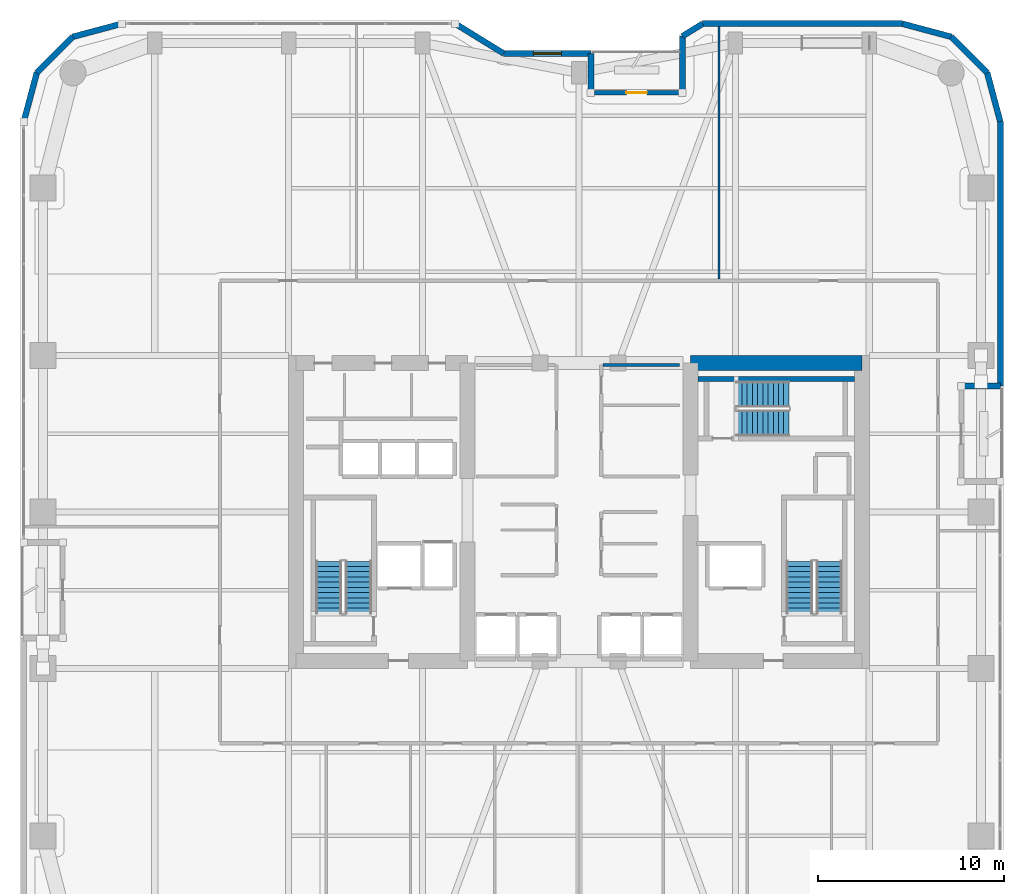
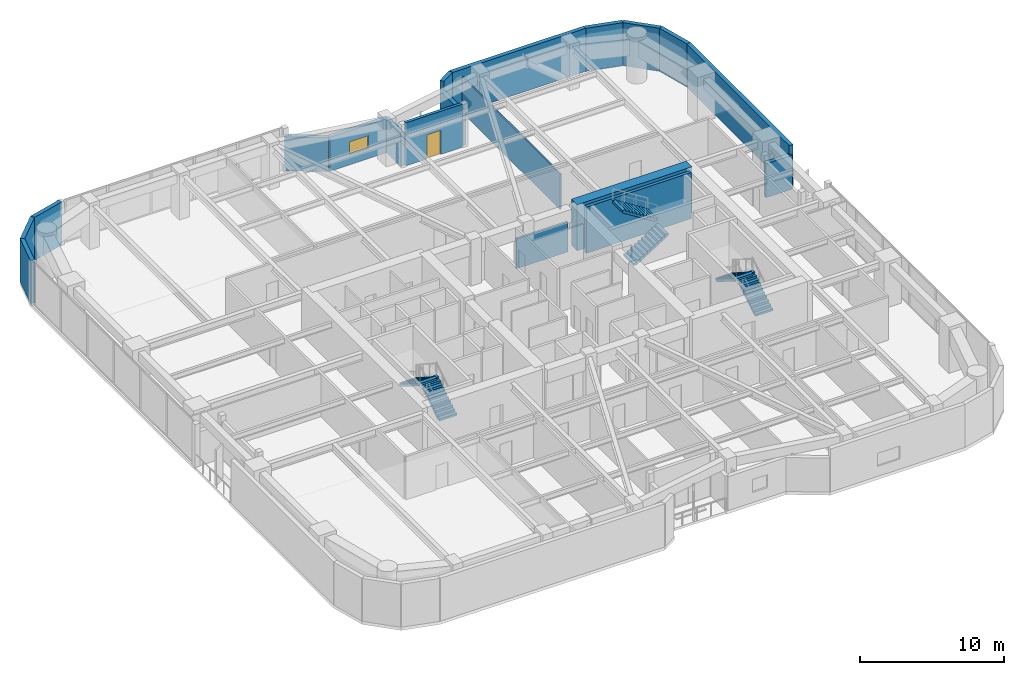
# One storey, part 21 of 24: 19 walls, 6 stair flights, 1 door, 1 window, 2 openings, 3 elements without a shape of their own.
"""IFC4 building model written with IfcOpenShell, lengths in metres."""

import ifcopenshell
import ifcopenshell.guid

model = None  # the IFC model being written
_history = None  # IfcOwnerHistory: only IFC2X3 demands one
_inside = {}  # id of a spatial element -> (the spatial element, [elements in it])
_under = {}  # id of a project, library or spatial element -> (it, [spatial elements below it])
_declared = {}  # id of a project -> (the project, [libraries it declares])
_typed = {}  # id of a type object -> (the type object, [elements of that type])
_made_of = {}  # id of a material, layer set ... -> (it, [elements and type objects made of it])


def new_model(schema):
    """Start an empty IFC model of exactly this schema.

    Asked for "IFC4X3", IfcOpenShell would pick the latest addendum, in which some entities
    have other attributes; the version numbers below select the first issue.
    IFC2X3 requires an IfcOwnerHistory on every rooted entity: one is made here for all.
    """
    global model, _history
    if schema == "IFC4X3":
        model = ifcopenshell.file(schema_version=(4, 3, 0, 0))
    else:
        model = ifcopenshell.file(schema=schema)
    _inside.clear()
    _under.clear()
    _declared.clear()
    _typed.clear()
    _made_of.clear()
    _history = None
    if model.schema == "IFC2X3":
        org = make("IfcOrganization", Name="unknown")
        user = make(
            "IfcPersonAndOrganization",
            ThePerson=make("IfcPerson", FamilyName="unknown"),
            TheOrganization=org,
        )
        app = make(
            "IfcApplication",
            ApplicationDeveloper=org,
            Version="unknown",
            ApplicationFullName="unknown",
            ApplicationIdentifier="unknown",
        )
        _history = make(
            "IfcOwnerHistory",
            OwningUser=user,
            OwningApplication=app,
            ChangeAction="ADDED",
            CreationDate=0,
        )
    return model


def make(cls, **values):
    """One entity of the class cls with the attributes given. An attribute that is None is left unset."""
    return model.create_entity(
        cls, **{name: value for name, value in values.items() if value is not None}
    )


def rooted(cls, **values):
    """An entity with a GlobalId (a new one), such as an element, a storey or a relation."""
    return make(cls, GlobalId=ifcopenshell.guid.new(), OwnerHistory=_history, **values)


def si_unit(unit_type, name, prefix=None):
    """IfcSIUnit, for example si_unit("LENGTHUNIT", "METRE", prefix="MILLI")."""
    return make("IfcSIUnit", UnitType=unit_type, Prefix=prefix, Name=name)


def assignment(units):
    """IfcUnitAssignment: the units of a project."""
    return None if units is None else make("IfcUnitAssignment", Units=units)


def point(xyz):
    """IfcCartesianPoint."""
    return None if xyz is None else make("IfcCartesianPoint", Coordinates=xyz)


def direction(xyz):
    """IfcDirection."""
    return None if xyz is None else make("IfcDirection", DirectionRatios=xyz)


def frame(location, z_axis=None, x_axis=None):
    """IfcAxis2Placement3D, a coordinate frame: its origin and axes. An axis left out is left unset."""
    return make(
        "IfcAxis2Placement3D",
        Location=point(location),
        Axis=direction(z_axis),
        RefDirection=direction(x_axis),
    )


def frame_2d(location, x_axis=None):
    """IfcAxis2Placement2D, a coordinate frame in the plane: its origin and x axis."""
    return make(
        "IfcAxis2Placement2D", Location=point(location), RefDirection=direction(x_axis)
    )


def origin():
    """The frame at (0, 0, 0) with its axes left unset."""
    return frame((0.0, 0.0, 0.0))


def place(relative_to, where):
    """IfcLocalPlacement: puts the frame where relative to a parent placement (None: the world)."""
    return make(
        "IfcLocalPlacement", PlacementRelTo=relative_to, RelativePlacement=where
    )


def context(
    kind, dimensions, precision=None, world=None, true_north=None, identifier=None
):
    """IfcGeometricRepresentationContext, for example the 3D "Model" context."""
    return make(
        "IfcGeometricRepresentationContext",
        ContextIdentifier=identifier,
        ContextType=kind,
        CoordinateSpaceDimension=dimensions,
        Precision=precision,
        WorldCoordinateSystem=world,
        TrueNorth=true_north,
    )


def subcontext(parent, identifier, kind, view, scale=None):
    """IfcGeometricRepresentationSubContext, for example "Body" below "Model"."""
    return make(
        "IfcGeometricRepresentationSubContext",
        ContextIdentifier=identifier,
        ContextType=kind,
        ParentContext=parent,
        TargetScale=scale,
        TargetView=view,
    )


def project(units=None, contexts=None):
    """IfcProject with its units and contexts."""
    return rooted(
        "IfcProject",
        Name="project",
        RepresentationContexts=contexts,
        UnitsInContext=assignment(units),
    )


def spatial(cls, under=None, at=None, **own):
    """A site, building, storey or space (cls), placed at a placement, below another one or the project."""
    s = rooted(cls, ObjectPlacement=at, **own)
    if under is not None:
        _under.setdefault(under.id(), (under, []))[1].append(s)
    return s


def polyline(points):
    """IfcPolyline through the points."""
    return make("IfcPolyline", Points=[point(p) for p in points])


def profile(cls, at=None, kind="AREA", **sizes):
    """A parametric profile (cls). Its sizes go by their IFC names, for example OverallWidth=200.0."""
    return make(cls, ProfileType=kind, Position=at, **sizes)


def rectangle(**sizes):
    """IfcRectangleProfileDef."""
    return profile("IfcRectangleProfileDef", **sizes)


def outline(outer, holes=None, kind="AREA"):
    """IfcArbitraryClosedProfileDef: a profile drawn as a closed curve; with holes, ...WithVoids."""
    if holes is None:
        return make("IfcArbitraryClosedProfileDef", ProfileType=kind, OuterCurve=outer)
    return make(
        "IfcArbitraryProfileDefWithVoids",
        ProfileType=kind,
        OuterCurve=outer,
        InnerCurves=holes,
    )


def extrude(swept, where, along, depth):
    """IfcExtrudedAreaSolid: the profile swept, set in the frame where, extruded along a direction by depth."""
    return make(
        "IfcExtrudedAreaSolid",
        SweptArea=swept,
        Position=where,
        ExtrudedDirection=direction(along),
        Depth=depth,
    )


def shape(context_of_items, identifier, shape_type, items):
    """IfcShapeRepresentation: the items that make up one representation, for example the "Body"."""
    return make(
        "IfcShapeRepresentation",
        ContextOfItems=context_of_items,
        RepresentationIdentifier=identifier,
        RepresentationType=shape_type,
        Items=items,
    )


def material(Name=None, Category=None):
    """IfcMaterial."""
    return make("IfcMaterial", Name=Name, Category=Category)


def layer(
    of_material, thickness, ventilated=None, Name=None, Category=None, Priority=None
):
    """IfcMaterialLayer: one layer of a wall or slab, of a material (None: an air gap)."""
    return make(
        "IfcMaterialLayer",
        Material=of_material,
        LayerThickness=thickness,
        IsVentilated=ventilated,
        Name=Name,
        Category=Category,
        Priority=Priority,
    )


def layer_set(layers, Name=None):
    """IfcMaterialLayerSet."""
    return make("IfcMaterialLayerSet", MaterialLayers=layers, LayerSetName=Name)


def made_of(thing, what):
    """Note that an element or type object is made of a material, layer set ...; save() writes the relation."""
    if what is not None:
        _made_of.setdefault(what.id(), (what, []))[1].append(thing)
    return thing


def type_object(cls, material=None, **own):
    """A type object (cls), such as IfcWallType, which elements share."""
    return made_of(rooted(cls, **own), material)


def element(
    cls,
    number,
    at=None,
    inside=None,
    cuts=None,
    type_object=None,
    material=None,
    context=None,
    identifier="Body",
    shape_type=None,
    held_by="IfcProductDefinitionShape",
    body=None,
    shapes=None,
    **own,
):
    """One element of the class cls, such as IfcWall. Its Tag is "e" and its number.

    at: its placement. inside: the storey or other place that contains it. cuts: it is an
    opening in that element (IfcRelVoidsElement). A single representation is given by context,
    identifier, shape_type and body (its items); several are given by shapes. held_by: the class
    of the entity that holds the representations. save() writes the other relations.
    """
    e = rooted(cls, Tag="e%d" % number, ObjectPlacement=at, **own)
    if body is not None:
        shapes = [shape(context, identifier, shape_type, body)]
    if shapes is not None:
        e.Representation = make(held_by, Representations=shapes)
    if inside is not None:
        _inside.setdefault(inside.id(), (inside, []))[1].append(e)
    if cuts is not None:
        rooted(
            "IfcRelVoidsElement", RelatingBuildingElement=cuts, RelatedOpeningElement=e
        )
    if type_object is not None:
        _typed.setdefault(type_object.id(), (type_object, []))[1].append(e)
    return made_of(e, material)


def fill(opening, filler):
    """IfcRelFillsElement: the door or window that sits in an opening."""
    return rooted(
        "IfcRelFillsElement",
        RelatingOpeningElement=opening,
        RelatedBuildingElement=filler,
    )


def aggregate(whole, parts):
    """IfcRelAggregates: a whole, such as a stair, and the parts it consists of."""
    return rooted("IfcRelAggregates", RelatingObject=whole, RelatedObjects=parts)


def save(model, path):
    """Write the relations noted so far, then the file.

    IfcRelAggregates (storeys below a building ...), IfcRelContainedInSpatialStructure (elements
    in a storey), IfcRelDefinesByType, IfcRelAssociatesMaterial and IfcRelDeclares: one each for
    every whole, place, type object, material and project.
    """
    for whole, parts in _under.values():
        aggregate(whole, parts)
    for where, things in _inside.values():
        rooted(
            "IfcRelContainedInSpatialStructure",
            RelatedElements=things,
            RelatingStructure=where,
        )
    for kind, things in _typed.values():
        rooted("IfcRelDefinesByType", RelatedObjects=things, RelatingType=kind)
    for what, things in _made_of.values():
        rooted("IfcRelAssociatesMaterial", RelatedObjects=things, RelatingMaterial=what)
    for by, libraries in _declared.values():
        rooted("IfcRelDeclares", RelatingContext=by, RelatedDefinitions=libraries)
    model.write(path)


model = new_model("IFC4")

# Units and contexts
model_context = context("Model", 3, precision=1e-05, world=origin(), true_north=direction((0.0, 1.0)))
body_context = subcontext(model_context, "Body", "Model", "MODEL_VIEW")
ifc_project = project(units=[si_unit("LENGTHUNIT", "METRE"), si_unit("AREAUNIT", "SQUARE_METRE"), si_unit("VOLUMEUNIT", "CUBIC_METRE"), si_unit("PLANEANGLEUNIT", "RADIAN"), si_unit("MASSUNIT", "GRAM", prefix="KILO")], contexts=[model_context])

# Site, building, storey
site_placement = place(None, origin())
site = spatial("IfcSite", under=ifc_project, at=site_placement, CompositionType="ELEMENT")
building_placement = place(site_placement, origin())
building = spatial("IfcBuilding", under=site, at=building_placement, Name="Kiyonajd Concourse Tower", CompositionType="ELEMENT")
storey_placement = place(building_placement, frame((0.0, 0.0, 117.0)))
storey = spatial("IfcBuildingStorey", under=building, at=storey_placement, Name="L30", CompositionType="ELEMENT", Elevation=117.0)

# Walls
ifc_material_1 = material(Name="Concrete C70/85", Category="concrete")
ifc_layer_1 = layer(ifc_material_1, 0.800048828125)
ifc_layer_set_1 = layer_set([ifc_layer_1], Name="Concrete C70/85")
wall_type_1 = type_object("IfcWallType", Name="WL-CORE-800", PredefinedType="SHEAR", material=ifc_layer_set_1)
wall_1_placement = place(storey_placement, frame((54.0, 44.0, 0.0), z_axis=(0.0, 0.0, 1.0), x_axis=(1.0, 0.0, 0.0)))
element("IfcWall", 1, at=wall_1_placement, inside=storey, type_object=wall_type_1, Name="L30 East Core North Shear Wall", PredefinedType="SHEAR", context=body_context, shape_type="SweptSolid", body=[
    extrude(rectangle(XDim=9.199951171875, YDim=0.800048828125, at=frame_2d((4.60009765625, 0.0))), origin(), (0.0, 0.0, 1.0), 3.89990234375),
])
ifc_material_2 = material(Name="Precast concrete C50/60", Category="concrete")
ifc_layer_2 = layer(ifc_material_2, 0.320068359375)
ifc_layer_set_2 = layer_set([ifc_layer_2], Name="Precast concrete C50/60")
wall_type_2 = type_object("IfcWallType", Name="WL-EXT-320", PredefinedType="SOLIDWALL", material=ifc_layer_set_2)
wall_2_placement = place(storey_placement, frame((18.159912109375, 56.97900390625, 0.0), z_axis=(0.0, 0.0, 1.0), x_axis=(0.25869736047, 0.965958423373, 0.0)))
element("IfcWall", 2, at=wall_2_placement, inside=storey, type_object=wall_type_2, Name="L30 Exterior Concrete Frame Wall 06", PredefinedType="SOLIDWALL", context=body_context, shape_type="SweptSolid", body=[
    extrude(rectangle(XDim=2.731201171875, YDim=0.320068359375, at=frame_2d((1.36572265625, 0.0))), origin(), (0.0, 0.0, 1.0), 3.639892578125),
])
wall_3_placement = place(storey_placement, frame((18.866455078125, 59.6171875, 0.0), z_axis=(0.0, 0.0, 1.0), x_axis=(0.707106781187, 0.707106781187, 0.0)))
element("IfcWall", 3, at=wall_3_placement, inside=storey, type_object=wall_type_2, Name="L30 Exterior Concrete Frame Wall 07", PredefinedType="SOLIDWALL", context=body_context, shape_type="SweptSolid", body=[
    extrude(rectangle(XDim=2.7099609375, YDim=0.320068359375, at=frame_2d((1.35498046875, 0.0))), origin(), (0.0, 0.0, 1.0), 3.639892578125),
])
wall_4_placement = place(storey_placement, frame((20.78271484375, 61.533447265625, 0.0), z_axis=(0.0, 0.0, 1.0), x_axis=(0.965964405026, 0.25867502435, 0.0)))
element("IfcWall", 4, at=wall_4_placement, inside=storey, type_object=wall_type_2, Name="L30 Exterior Concrete Frame Wall 08", PredefinedType="SOLIDWALL", context=body_context, shape_type="SweptSolid", body=[
    extrude(rectangle(XDim=2.7314453125, YDim=0.320068359375, at=frame_2d((1.36572265625, 0.0))), origin(), (0.0, 0.0, 1.0), 3.639892578125),
])
wall_5_placement = place(storey_placement, frame((41.354736328125, 62.239990234375, 0.0), z_axis=(0.0, 0.0, 1.0), x_axis=(0.851630857047, -0.524142044989, 0.0)))
element("IfcWall", 5, at=wall_5_placement, inside=storey, type_object=wall_type_2, Name="L30 Exterior Concrete Frame Wall 10", PredefinedType="SOLIDWALL", context=body_context, shape_type="SweptSolid", body=[
    extrude(rectangle(XDim=3.052734375, YDim=0.320068359375, at=frame_2d((1.5263671875, 0.0))), origin(), (0.0, 0.0, 1.0), 2.875),
])

# Wall, opening, window
wall_6_placement = place(storey_placement, frame((43.95458984375, 60.639892578125, 0.0), z_axis=(0.0, 0.0, 1.0), x_axis=(1.0, 0.0, 0.0)))
wall_6 = element("IfcWall", 6, at=wall_6_placement, inside=storey, type_object=wall_type_2, Name="L30 Exterior Concrete Frame Wall 11", PredefinedType="SOLIDWALL", context=body_context, shape_type="SweptSolid", body=[
    extrude(rectangle(XDim=4.685302734375, YDim=0.320068359375, at=frame_2d((2.3427734375, 0.0))), origin(), (0.0, 0.0, 1.0), 2.875),
])
opening_1_placement = place(wall_6_placement, frame((1.593017578125, 0.0, 0.85009765625)))
opening_1 = element("IfcOpeningElement", 7, at=opening_1_placement, cuts=wall_6, Name="Opening WN2", PredefinedType="OPENING", context=body_context, shape_type="SweptSolid", body=[
    extrude(rectangle(XDim=1.5, YDim=1.10009765625, at=frame_2d((0.75, 0.550048828125))), frame((0.0, 0.169921875, 0.0), z_axis=(0.0, -1.0, 0.0), x_axis=(1.0, 0.0, 0.0)), (0.0, 0.0, 1.0), 0.340087890625),
])
ifc_material_3 = material(Name="Double Low-E Insulated Glass", Category="glass")
window_type = type_object("IfcWindowType", Name="WN-VIS-1500x1100", PartitioningType="SINGLE_PANEL", PredefinedType="WINDOW", material=ifc_material_3)
window_placement = place(opening_1_placement, origin())
window = element("IfcWindow", 8, at=window_placement, inside=storey, type_object=window_type, Name="L30 Modular Facade Vision Window 11", OverallHeight=1.10009765625, OverallWidth=1.5, PartitioningType="SINGLE_PANEL", PredefinedType="WINDOW", context=body_context, shape_type="SweptSolid", body=[
    extrude(rectangle(XDim=1.5, YDim=1.10009765625, at=frame_2d((0.75, 0.550048828125))), frame((0.0, 0.030029296875, 0.0), z_axis=(0.0, -1.0, 0.0), x_axis=(1.0, 0.0, 0.0)), (0.0, 0.0, 1.0), 0.06005859375),
])
fill(opening_1, window)

# Walls
wall_7_placement = place(storey_placement, frame((48.639892578125, 60.639892578125, 0.0), z_axis=(0.0, 0.0, 1.0), x_axis=(0.0, -1.0, 0.0)))
element("IfcWall", 9, at=wall_7_placement, inside=storey, type_object=wall_type_2, Name="L30 Exterior Concrete Frame Wall 12", PredefinedType="SOLIDWALL", context=body_context, shape_type="SweptSolid", body=[
    extrude(rectangle(XDim=2.099853515625, YDim=0.320068359375, at=frame_2d((1.0498046875, 0.0))), origin(), (0.0, 0.0, 1.0), 2.875),
])
wall_8_placement = place(storey_placement, frame((53.56005859375, 58.5400390625, 0.0), z_axis=(0.0, 0.0, 1.0), x_axis=(0.0, 1.0, 0.0)))
element("IfcWall", 10, at=wall_8_placement, inside=storey, type_object=wall_type_2, Name="L30 Exterior Concrete Frame Wall 14", PredefinedType="SOLIDWALL", context=body_context, shape_type="SweptSolid", body=[
    extrude(rectangle(XDim=3.032470703125, YDim=0.320068359375, at=frame_2d((1.51611328125, 0.0))), origin(), (0.0, 0.0, 1.0), 2.875),
])
wall_9_placement = place(storey_placement, frame((53.56005859375, 61.572509765625, 0.0), z_axis=(0.0, 0.0, 1.0), x_axis=(0.851776724646, 0.523904964045, 0.0)))
element("IfcWall", 11, at=wall_9_placement, inside=storey, type_object=wall_type_2, Name="L30 Exterior Concrete Frame Wall 15", PredefinedType="SOLIDWALL", context=body_context, shape_type="SweptSolid", body=[
    extrude(rectangle(XDim=1.274169921875, YDim=0.320068359375, at=frame_2d((0.63720703125, 0.0))), origin(), (0.0, 0.0, 1.0), 3.639892578125),
])
wall_10_placement = place(storey_placement, frame((54.645263671875, 62.239990234375, 0.0), z_axis=(0.0, 0.0, 1.0), x_axis=(1.0, 0.0, 0.0)))
element("IfcWall", 12, at=wall_10_placement, inside=storey, type_object=wall_type_2, Name="L30 Exterior Concrete Frame Wall 16", PredefinedType="SOLIDWALL", context=body_context, shape_type="SweptSolid", body=[
    extrude(rectangle(XDim=10.733642578125, YDim=0.320068359375, at=frame_2d((5.36669921875, 0.0))), origin(), (0.0, 0.0, 1.0), 3.639892578125),
])
wall_11_placement = place(storey_placement, frame((65.37890625, 62.239990234375, 0.0), z_axis=(0.0, 0.0, 1.0), x_axis=(0.965958423373, -0.25869736047, 0.0)))
element("IfcWall", 13, at=wall_11_placement, inside=storey, type_object=wall_type_2, Name="L30 Exterior Concrete Frame Wall 17", PredefinedType="SOLIDWALL", context=body_context, shape_type="SweptSolid", body=[
    extrude(rectangle(XDim=2.731201171875, YDim=0.320068359375, at=frame_2d((1.36572265625, 0.0))), origin(), (0.0, 0.0, 1.0), 3.639892578125),
])
wall_12_placement = place(storey_placement, frame((68.01708984375, 61.533447265625, 0.0), z_axis=(0.0, 0.0, 1.0), x_axis=(0.707151821269, -0.707061738235, 0.0)))
element("IfcWall", 14, at=wall_12_placement, inside=storey, type_object=wall_type_2, Name="L30 Exterior Concrete Frame Wall 18", PredefinedType="SOLIDWALL", context=body_context, shape_type="SweptSolid", body=[
    extrude(rectangle(XDim=2.710205078125, YDim=0.320068359375, at=frame_2d((1.35498046875, 0.0))), origin(), (0.0, 0.0, 1.0), 3.639892578125),
])
wall_13_placement = place(storey_placement, frame((69.93359375, 59.6171875, 0.0), z_axis=(0.0, 0.0, 1.0), x_axis=(0.258613949072, -0.965980758269, 0.0)))
element("IfcWall", 15, at=wall_13_placement, inside=storey, type_object=wall_type_2, Name="L30 Exterior Concrete Frame Wall 19", PredefinedType="SOLIDWALL", context=body_context, shape_type="SweptSolid", body=[
    extrude(rectangle(XDim=2.731201171875, YDim=0.320068359375, at=frame_2d((1.36572265625, 0.0))), origin(), (0.0, 0.0, 1.0), 3.639892578125),
])
wall_14_placement = place(storey_placement, frame((70.639892578125, 56.97900390625, 0.0), z_axis=(0.0, 0.0, 1.0), x_axis=(0.0, -1.0, 0.0)))
element("IfcWall", 16, at=wall_14_placement, inside=storey, type_object=wall_type_2, Name="L30 Exterior Concrete Frame Wall 20", PredefinedType="SOLIDWALL", context=body_context, shape_type="SweptSolid", body=[
    extrude(rectangle(XDim=14.218994140625, YDim=0.320068359375, at=frame_2d((7.109375, 0.0))), origin(), (0.0, 0.0, 1.0), 3.639892578125),
])
wall_15_placement = place(storey_placement, frame((70.639892578125, 42.760009765625, 0.0), z_axis=(0.0, 0.0, 1.0), x_axis=(-1.0, 0.0, 0.0)))
element("IfcWall", 17, at=wall_15_placement, inside=storey, type_object=wall_type_2, Name="L30 Exterior Concrete Frame Wall 21", PredefinedType="SOLIDWALL", context=body_context, shape_type="SweptSolid", body=[
    extrude(rectangle(XDim=2.099853515625, YDim=0.320068359375, at=frame_2d((1.0498046875, 0.0))), origin(), (0.0, 0.0, 1.0), 2.875),
])

# Wall, opening, door
ifc_layer_3 = layer(ifc_material_2, 0.239990234375)
ifc_layer_set_3 = layer_set([ifc_layer_3], Name="Precast concrete C50/60")
wall_type_3 = type_object("IfcWallType", Name="WL-LOG-240", PredefinedType="SOLIDWALL", material=ifc_layer_set_3)
wall_16_placement = place(storey_placement, frame((48.8349609375, 58.5400390625, 0.0), z_axis=(0.0, 0.0, 1.0), x_axis=(1.0, 0.0, 0.0)))
wall_16 = element("IfcWall", 18, at=wall_16_placement, inside=storey, type_object=wall_type_3, Name="L30 Recessed Loggia Thermal Wall LOG-N", PredefinedType="SOLIDWALL", context=body_context, shape_type="SweptSolid", body=[
    extrude(rectangle(XDim=4.530029296875, YDim=0.239990234375, at=frame_2d((2.26513671875, 0.0))), origin(), (0.0, 0.0, 1.0), 3.639892578125),
])
opening_2_placement = place(wall_16_placement, frame((1.715087890625, 0.0, 0.0)))
opening_2 = element("IfcOpeningElement", 19, at=opening_2_placement, cuts=wall_16, Name="Opening DL2", PredefinedType="OPENING", context=body_context, shape_type="SweptSolid", body=[
    extrude(rectangle(XDim=1.10009765625, YDim=2.0400390625, at=frame_2d((0.550048828125, 1.02001953125))), frame((0.0, 0.1298828125, 0.0), z_axis=(0.0, -1.0, 0.0), x_axis=(1.0, 0.0, 0.0)), (0.0, 0.0, 1.0), 0.260009765625),
])
ifc_material_4 = material(Name="Thermally Broken Anodised Aluminium", Category="aluminium")
door_type = type_object("IfcDoorType", Name="DR-LOG-1100", OperationType="NOTDEFINED", PredefinedType="DOOR", material=ifc_material_4)
door_placement = place(opening_2_placement, origin())
door = element("IfcDoor", 20, at=door_placement, inside=storey, type_object=door_type, Name="L30 Engawa Loggia Access Door LOG-N", OperationType="SINGLE_SWING_RIGHT", OverallHeight=2.0400390625, OverallWidth=1.10009765625, PredefinedType="DOOR", context=body_context, shape_type="SweptSolid", body=[
    extrude(rectangle(XDim=1.10009765625, YDim=2.0400390625, at=frame_2d((0.550048828125, 1.02001953125))), frame((0.0, 0.02490234375, 0.0), z_axis=(0.0, -1.0, 0.0), x_axis=(1.0, 0.0, 0.0)), (0.0, 0.0, 1.0), 0.050048828125),
])
fill(opening_2, door)

# Walls
ifc_material_5 = material(Name="Gypsum Board on Cold-Formed Steel Stud", Category="steel")
ifc_layer_4 = layer(ifc_material_5, 0.125)
ifc_layer_set_4 = layer_set([ifc_layer_4], Name="Gypsum Board on Cold-Formed Steel Stud")
wall_type_4 = type_object("IfcWallType", Name="WL-PART-125", PredefinedType="PARTITIONING", material=ifc_layer_set_4)
wall_17_placement = place(storey_placement, frame((55.52001953125, 48.51708984375, 0.0), z_axis=(0.0, 0.0, 1.0), x_axis=(0.0, 1.0, 0.0)))
element("IfcWall", 21, at=wall_17_placement, inside=storey, type_object=wall_type_4, Name="L30 Interior Partition Wall", PredefinedType="PARTITIONING", context=body_context, shape_type="SweptSolid", body=[
    extrude(rectangle(XDim=13.56787109375, YDim=0.125, at=frame_2d((6.783935546875, 0.0))), origin(), (0.0, 0.0, 1.0), 3.0029296875),
])
ifc_layer_5 = layer(ifc_material_5, 0.169921875)
ifc_layer_set_5 = layer_set([ifc_layer_5], Name="Gypsum Board on Cold-Formed Steel Stud")
wall_type_5 = type_object("IfcWallType", Name="WL-SMK-170", PredefinedType="PARTITIONING", material=ifc_layer_set_5)
wall_18_placement = place(storey_placement, frame((49.287109375, 43.89990234375, 0.0), z_axis=(0.0, 0.0, 1.0), x_axis=(1.0, 0.0, 0.0)))
element("IfcWall", 22, at=wall_18_placement, inside=storey, type_object=wall_type_5, Name="L30 Interior Partition Wall", PredefinedType="PARTITIONING", context=body_context, shape_type="SweptSolid", body=[
    extrude(rectangle(XDim=4.11279296875, YDim=0.169921875, at=frame_2d((2.056396484375, 0.0))), origin(), (0.0, 0.0, 1.0), 2.52490234375),
])
ifc_material_6 = material(Name="Concrete C50/60", Category="concrete")
ifc_layer_6 = layer(ifc_material_6, 0.260009765625)
ifc_layer_set_6 = layer_set([ifc_layer_6], Name="Concrete C50/60")
wall_type_6 = type_object("IfcWallType", Name="WL-STAIR-260", PredefinedType="SHEAR", material=ifc_layer_set_6)
wall_19_placement = place(storey_placement, frame((54.39990234375, 43.14990234375, 0.0), z_axis=(0.0, 0.0, 1.0), x_axis=(1.0, 0.0, 0.0)))
element("IfcWall", 23, at=wall_19_placement, inside=storey, type_object=wall_type_6, Name="L30 Stair ST3 Structural North Wall", PredefinedType="SHEAR", context=body_context, shape_type="SweptSolid", body=[
    extrude(rectangle(XDim=8.400146484375, YDim=0.260009765625, at=frame_2d((4.2001953125, 0.0))), origin(), (0.0, 0.0, 1.0), 3.89990234375),
])

# Stair, stair flights
ifc_material_7 = material(Name="Concrete C40/50", Category="concrete")
stair_type = type_object("IfcStairType", Name="ST-DLG-22R", PredefinedType="HALF_TURN_STAIR", material=ifc_material_7)
stair_1_placement = place(storey_placement, origin())
stair_1 = element("IfcStair", 24, at=stair_1_placement, inside=storey, type_object=stair_type, Name="L30 Protected Exit Stair ST1", PredefinedType="HALF_TURN_STAIR")
stair_flight_type = type_object("IfcStairFlightType", Name="SF-STR-22R", PredefinedType="STRAIGHT", material=ifc_material_7)
stair_flight_1_placement = place(storey_placement, frame((36.14990234375, 30.550048828125, 0.0), z_axis=(0.0, 0.0, 1.0), x_axis=(0.0, 1.0, 0.0)))
stair_flight_1 = element("IfcStairFlight", 25, at=stair_flight_1_placement, type_object=stair_flight_type, Name="ST1 flight 1", NumberOfRisers=11, NumberOfTreads=10, PredefinedType="STRAIGHT", RiserHeight=0.177272727, TreadLength=0.28, context=body_context, shape_type="SweptSolid", body=[
    extrude(outline(polyline([(0.0, 0.0), (0.0, 0.17724609375), (0.280029296875, 0.17724609375), (0.280029296875, 0.3544921875), (0.56005859375, 0.3544921875), (0.56005859375, 0.53173828125), (0.840087890625, 0.53173828125), (0.840087890625, 0.708984375), (1.1201171875, 0.708984375), (1.1201171875, 0.886474609375), (1.39990234375, 0.886474609375), (1.39990234375, 1.063720703125), (1.679931640625, 1.063720703125), (1.679931640625, 1.240966796875), (1.9599609375, 1.240966796875), (1.9599609375, 1.418212890625), (2.239990234375, 1.418212890625), (2.239990234375, 1.595458984375), (2.52001953125, 1.595458984375), (2.52001953125, 1.772705078125), (2.800048828125, 1.772705078125), (2.800048828125, 1.949951171875), (2.800048828125, 1.59521484375), (0.2802734375, 0.0), (0.0, 0.0)])), frame((0.0, 0.699951171875, 0.0), z_axis=(0.0, -1.0, 0.0), x_axis=(1.0, 0.0, 0.0)), (0.0, 0.0, 1.0), 1.39990234375),
])
stair_flight_2_placement = place(storey_placement, frame((34.550048828125, 33.35009765625, 1.949951171875), z_axis=(0.0, 0.0, 1.0), x_axis=(0.0, -1.0, 0.0)))
stair_flight_2 = element("IfcStairFlight", 26, at=stair_flight_2_placement, type_object=stair_flight_type, Name="ST1 flight 2", NumberOfRisers=11, NumberOfTreads=10, PredefinedType="STRAIGHT", RiserHeight=0.177272727, TreadLength=0.28, context=body_context, shape_type="SweptSolid", body=[
    extrude(outline(polyline([(0.0, 0.0), (0.0, 0.17724609375), (0.280029296875, 0.17724609375), (0.280029296875, 0.3544921875), (0.56005859375, 0.3544921875), (0.56005859375, 0.53173828125), (0.840087890625, 0.53173828125), (0.840087890625, 0.708984375), (1.1201171875, 0.708984375), (1.1201171875, 0.886474609375), (1.39990234375, 0.886474609375), (1.39990234375, 1.063720703125), (1.679931640625, 1.063720703125), (1.679931640625, 1.240966796875), (1.9599609375, 1.240966796875), (1.9599609375, 1.418212890625), (2.239990234375, 1.418212890625), (2.239990234375, 1.595458984375), (2.52001953125, 1.595458984375), (2.52001953125, 1.772705078125), (2.800048828125, 1.772705078125), (2.800048828125, 1.949951171875), (2.800048828125, 1.59521484375), (0.2802734375, 0.0), (0.0, 0.0)])), frame((0.0, 0.699951171875, 0.0), z_axis=(0.0, -1.0, 0.0), x_axis=(1.0, 0.0, 0.0)), (0.0, 0.0, 1.0), 1.39990234375),
])
aggregate(stair_1, [stair_flight_1, stair_flight_2])

stair_2_placement = place(storey_placement, origin())
stair_2 = element("IfcStair", 27, at=stair_2_placement, inside=storey, type_object=stair_type, Name="L30 Protected Exit Stair ST2", PredefinedType="HALF_TURN_STAIR")
stair_flight_3_placement = place(storey_placement, frame((61.449951171875, 30.550048828125, 0.0), z_axis=(0.0, 0.0, 1.0), x_axis=(0.0, 1.0, 0.0)))
stair_flight_3 = element("IfcStairFlight", 28, at=stair_flight_3_placement, type_object=stair_flight_type, Name="ST2 flight 1", NumberOfRisers=11, NumberOfTreads=10, PredefinedType="STRAIGHT", RiserHeight=0.177272727, TreadLength=0.28, context=body_context, shape_type="SweptSolid", body=[
    extrude(outline(polyline([(0.0, 0.0), (0.0, 0.17724609375), (0.280029296875, 0.17724609375), (0.280029296875, 0.3544921875), (0.56005859375, 0.3544921875), (0.56005859375, 0.53173828125), (0.840087890625, 0.53173828125), (0.840087890625, 0.708984375), (1.1201171875, 0.708984375), (1.1201171875, 0.886474609375), (1.39990234375, 0.886474609375), (1.39990234375, 1.063720703125), (1.679931640625, 1.063720703125), (1.679931640625, 1.240966796875), (1.9599609375, 1.240966796875), (1.9599609375, 1.418212890625), (2.239990234375, 1.418212890625), (2.239990234375, 1.595458984375), (2.52001953125, 1.595458984375), (2.52001953125, 1.772705078125), (2.800048828125, 1.772705078125), (2.800048828125, 1.949951171875), (2.800048828125, 1.59521484375), (0.2802734375, 0.0), (0.0, 0.0)])), frame((0.0, 0.699951171875, 0.0), z_axis=(0.0, -1.0, 0.0), x_axis=(1.0, 0.0, 0.0)), (0.0, 0.0, 1.0), 1.39990234375),
])
stair_flight_4_placement = place(storey_placement, frame((59.85009765625, 33.35009765625, 1.949951171875), z_axis=(0.0, 0.0, 1.0), x_axis=(0.0, -1.0, 0.0)))
stair_flight_4 = element("IfcStairFlight", 29, at=stair_flight_4_placement, type_object=stair_flight_type, Name="ST2 flight 2", NumberOfRisers=11, NumberOfTreads=10, PredefinedType="STRAIGHT", RiserHeight=0.177272727, TreadLength=0.28, context=body_context, shape_type="SweptSolid", body=[
    extrude(outline(polyline([(0.0, 0.0), (0.0, 0.17724609375), (0.280029296875, 0.17724609375), (0.280029296875, 0.3544921875), (0.56005859375, 0.3544921875), (0.56005859375, 0.53173828125), (0.840087890625, 0.53173828125), (0.840087890625, 0.708984375), (1.1201171875, 0.708984375), (1.1201171875, 0.886474609375), (1.39990234375, 0.886474609375), (1.39990234375, 1.063720703125), (1.679931640625, 1.063720703125), (1.679931640625, 1.240966796875), (1.9599609375, 1.240966796875), (1.9599609375, 1.418212890625), (2.239990234375, 1.418212890625), (2.239990234375, 1.595458984375), (2.52001953125, 1.595458984375), (2.52001953125, 1.772705078125), (2.800048828125, 1.772705078125), (2.800048828125, 1.949951171875), (2.800048828125, 1.59521484375), (0.2802734375, 0.0), (0.0, 0.0)])), frame((0.0, 0.699951171875, 0.0), z_axis=(0.0, -1.0, 0.0), x_axis=(1.0, 0.0, 0.0)), (0.0, 0.0, 1.0), 1.39990234375),
])
aggregate(stair_2, [stair_flight_3, stair_flight_4])

stair_3_placement = place(storey_placement, origin())
stair_3 = element("IfcStair", 30, at=stair_3_placement, inside=storey, type_object=stair_type, Name="L30 Protected Exit Stair ST3", PredefinedType="HALF_TURN_STAIR")
stair_flight_5_placement = place(storey_placement, frame((56.47998046875, 40.780029296875, 0.0), z_axis=(0.0, 0.0, 1.0), x_axis=(1.0, 0.0, 0.0)))
stair_flight_5 = element("IfcStairFlight", 31, at=stair_flight_5_placement, type_object=stair_flight_type, Name="ST3 flight 1", NumberOfRisers=11, NumberOfTreads=10, PredefinedType="STRAIGHT", RiserHeight=0.177272727, TreadLength=0.28, context=body_context, shape_type="SweptSolid", body=[
    extrude(outline(polyline([(0.0, 0.0), (0.0, 0.17724609375), (0.280029296875, 0.17724609375), (0.280029296875, 0.3544921875), (0.56005859375, 0.3544921875), (0.56005859375, 0.53173828125), (0.840087890625, 0.53173828125), (0.840087890625, 0.708984375), (1.1201171875, 0.708984375), (1.1201171875, 0.886474609375), (1.39990234375, 0.886474609375), (1.39990234375, 1.063720703125), (1.679931640625, 1.063720703125), (1.679931640625, 1.240966796875), (1.9599609375, 1.240966796875), (1.9599609375, 1.418212890625), (2.239990234375, 1.418212890625), (2.239990234375, 1.595458984375), (2.52001953125, 1.595458984375), (2.52001953125, 1.772705078125), (2.800048828125, 1.772705078125), (2.800048828125, 1.949951171875), (2.800048828125, 1.59521484375), (0.2802734375, 0.0), (0.0, 0.0)])), frame((0.0, 0.699951171875, 0.0), z_axis=(0.0, -1.0, 0.0), x_axis=(1.0, 0.0, 0.0)), (0.0, 0.0, 1.0), 1.39990234375),
])
stair_flight_6_placement = place(storey_placement, frame((59.280029296875, 42.320068359375, 1.949951171875), z_axis=(0.0, 0.0, 1.0), x_axis=(-1.0, 0.0, 0.0)))
stair_flight_6 = element("IfcStairFlight", 32, at=stair_flight_6_placement, type_object=stair_flight_type, Name="ST3 flight 2", NumberOfRisers=11, NumberOfTreads=10, PredefinedType="STRAIGHT", RiserHeight=0.177272727, TreadLength=0.28, context=body_context, shape_type="SweptSolid", body=[
    extrude(outline(polyline([(0.0, 0.0), (0.0, 0.17724609375), (0.280029296875, 0.17724609375), (0.280029296875, 0.3544921875), (0.56005859375, 0.3544921875), (0.56005859375, 0.53173828125), (0.840087890625, 0.53173828125), (0.840087890625, 0.708984375), (1.1201171875, 0.708984375), (1.1201171875, 0.886474609375), (1.39990234375, 0.886474609375), (1.39990234375, 1.063720703125), (1.679931640625, 1.063720703125), (1.679931640625, 1.240966796875), (1.9599609375, 1.240966796875), (1.9599609375, 1.418212890625), (2.239990234375, 1.418212890625), (2.239990234375, 1.595458984375), (2.52001953125, 1.595458984375), (2.52001953125, 1.772705078125), (2.800048828125, 1.772705078125), (2.800048828125, 1.949951171875), (2.800048828125, 1.59521484375), (0.2802734375, 0.0), (0.0, 0.0)])), frame((0.0, 0.699951171875, 0.0), z_axis=(0.0, -1.0, 0.0), x_axis=(1.0, 0.0, 0.0)), (0.0, 0.0, 1.0), 1.39990234375),
])
aggregate(stair_3, [stair_flight_5, stair_flight_6])

save(model, "model.ifc")
